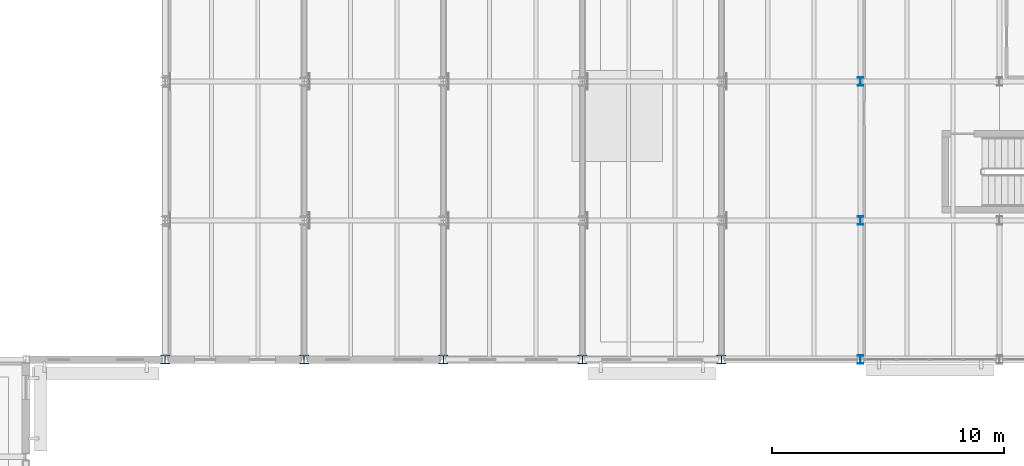
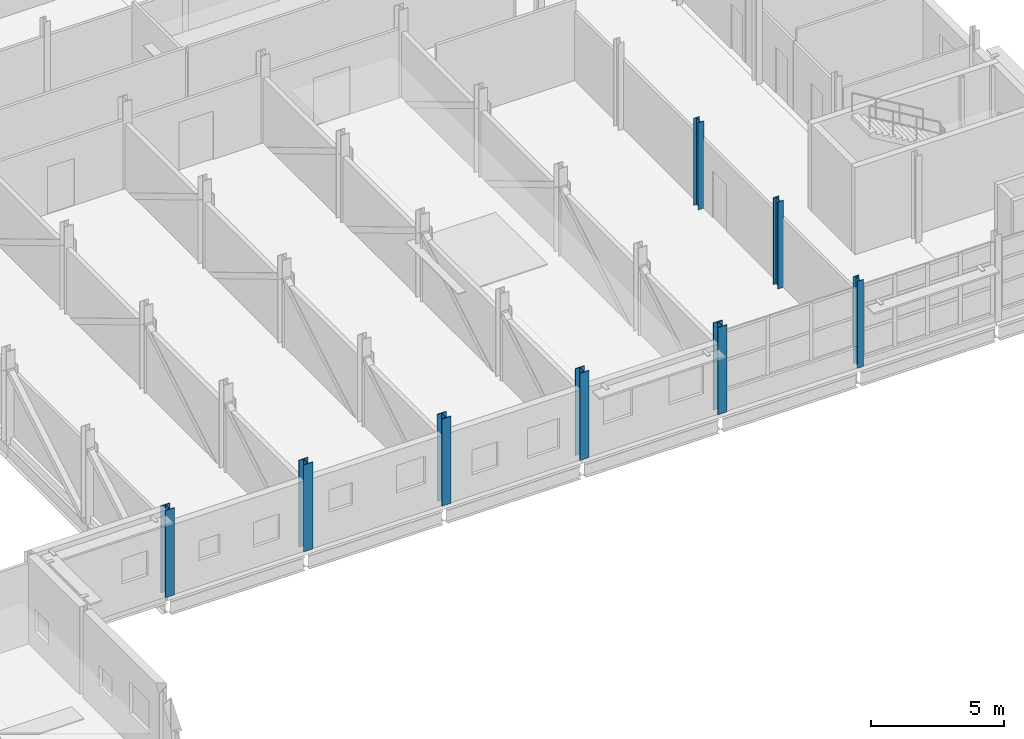
# One storey, part 5 of 92: 8 columns.
"""IFC4 building model written with IfcOpenShell, lengths in metres."""

from ifc_helpers import new_model, si_unit, direction, frame, origin, origin_2d, place, context, subcontext, project, spatial, i_section, extrude, material, material_profile, profile_set, type_object, element, save


model = new_model("IFC4")

# Units and contexts
model_context = context("Model", 3, precision=1e-05, world=origin(), true_north=direction((0.0, 1.0)))
body_context = subcontext(model_context, "Body", "Model", "MODEL_VIEW")
ifc_project = project(units=[si_unit("LENGTHUNIT", "METRE"), si_unit("AREAUNIT", "SQUARE_METRE"), si_unit("VOLUMEUNIT", "CUBIC_METRE"), si_unit("PLANEANGLEUNIT", "RADIAN"), si_unit("MASSUNIT", "GRAM", prefix="KILO")], contexts=[model_context])

# Site, building, storey
site_placement = place(None, origin())
site = spatial("IfcSite", under=ifc_project, at=site_placement, CompositionType="ELEMENT")
building_placement = place(site_placement, origin())
building = spatial("IfcBuilding", under=site, at=building_placement, Name="Siltcreek Boulevard Central Fire Station", CompositionType="ELEMENT")
storey_placement = place(building_placement, frame((0.0, 0.0, 6.0)))
storey = spatial("IfcBuildingStorey", under=building, at=storey_placement, Name="L02", CompositionType="ELEMENT", Elevation=6.0)

# Columns
ifc_material = material(Name="Structural steel ASTM A992 Gr50", Category="steel")
ifc_material_profile_1 = material_profile(ifc_material, i_section(OverallWidth=0.39501953125, OverallDepth=0.3798828125, WebThickness=0.018798828125, FlangeThickness=0.0302734375, at=origin_2d()), Name="W360X237")
ifc_profile_set_1 = profile_set([ifc_material_profile_1], Name="Structural steel ASTM A992 Gr50")
column_type_1 = type_object("IfcColumnType", Name="COL_W360X237", PredefinedType="COLUMN", material=ifc_profile_set_1)
for number, where, z_axis, x_axis, name in (
    (1, (66.0, 18.0, 0.0), (0.0, 0.0, 1.0), (1.0, 0.0, 0.0), "L02 structural column COLG-L02-660-180"),
    (2, (72.0, 18.0, 0.0), (0.0, 0.0, 1.0), (1.0, 0.0, 0.0), "L02 structural column COLG-L02-720-180"),
    (3, (78.0, 18.0, 0.0), (0.0, 0.0, 1.0), (1.0, 0.0, 0.0), "L02 structural column COLG-L02-780-180"),
    (4, (84.0, 18.0, 0.0), (0.0, 0.0, 1.0), (1.0, 0.0, 0.0), "L02 structural column COLG-L02-840-180"),
    (5, (90.0, 18.0, 0.0), (0.0, 0.0, 1.0), (1.0, 0.0, 0.0), "L02 structural column COLG-L02-900-180"),
):
    element("IfcColumn", number, at=place(storey_placement, frame(where, z_axis=z_axis, x_axis=x_axis)), inside=storey, type_object=column_type_1, Name=name, PredefinedType="COLUMN", context=body_context, shape_type="SweptSolid", body=[
        extrude(i_section(OverallWidth=0.39501953125, OverallDepth=0.3798828125, WebThickness=0.018798828125, FlangeThickness=0.0302734375, at=origin_2d()), origin(), (0.0, 0.0, 1.0), 4.0),
    ])
ifc_material_profile_2 = material_profile(ifc_material, i_section(OverallWidth=0.25390625, OverallDepth=0.35302734375, WebThickness=0.009521484375, FlangeThickness=0.016357421875, at=origin_2d()), Name="W360X91")
ifc_profile_set_2 = profile_set([ifc_material_profile_2], Name="Structural steel ASTM A992 Gr50")
column_type_2 = type_object("IfcColumnType", Name="COL_W360X91", PredefinedType="COLUMN", material=ifc_profile_set_2)
for number, where, z_axis, x_axis, name in (
    (6, (96.0, 18.0, 0.0), (0.0, 0.0, 1.0), (1.0, 0.0, 0.0), "L02 structural column COLG-L02-960-180"),
    (7, (96.0, 24.0, 0.0), (0.0, 0.0, 1.0), (1.0, 0.0, 0.0), "L02 structural column COLG-L02-960-240"),
    (8, (96.0, 30.0, 0.0), (0.0, 0.0, 1.0), (1.0, 0.0, 0.0), "L02 structural column COLG-L02-960-300"),
):
    element("IfcColumn", number, at=place(storey_placement, frame(where, z_axis=z_axis, x_axis=x_axis)), inside=storey, type_object=column_type_2, Name=name, PredefinedType="COLUMN", context=body_context, shape_type="SweptSolid", body=[
        extrude(i_section(OverallWidth=0.25390625, OverallDepth=0.35302734375, WebThickness=0.009521484375, FlangeThickness=0.016357421875, at=origin_2d()), origin(), (0.0, 0.0, 1.0), 4.0),
    ])

save(model, "model.ifc")
